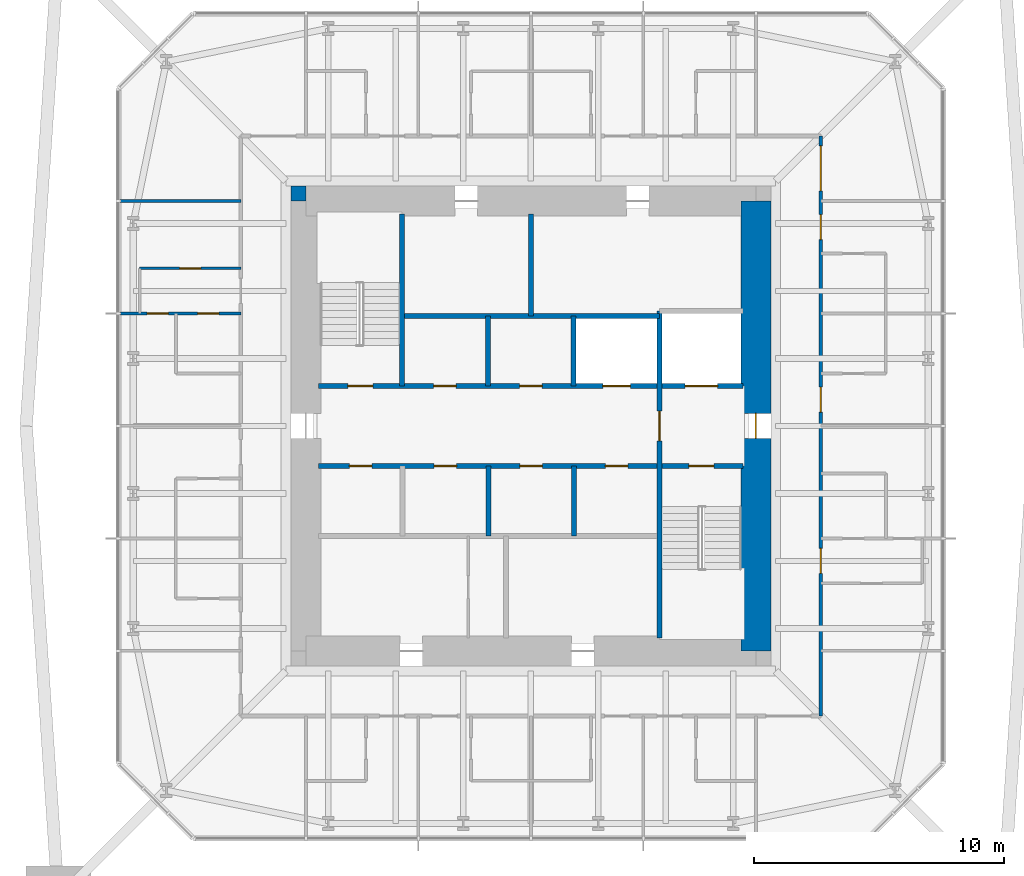
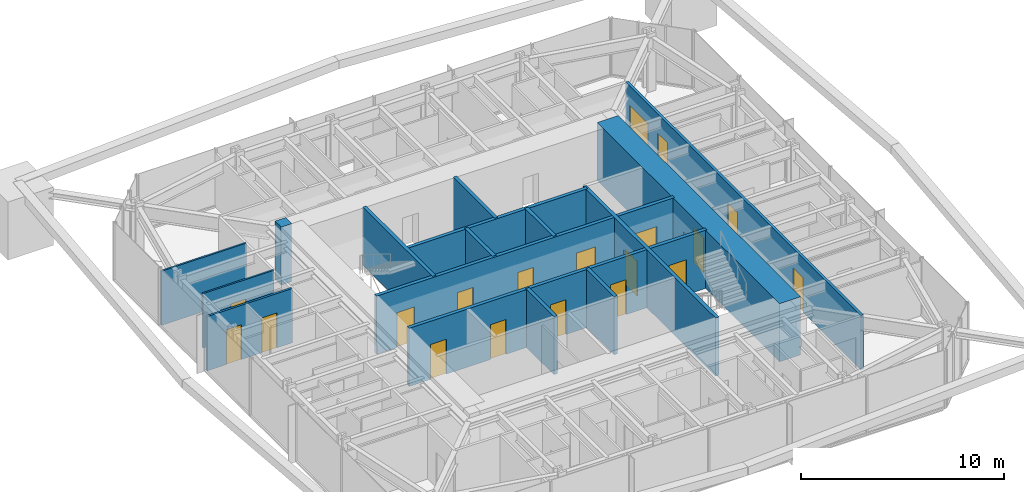
# One storey, part 8 of 11: 19 doors, 16 walls, 19 openings.
"""IFC4 building model written with IfcOpenShell, lengths in metres."""

from ifc_helpers import new_model, si_unit, direction, frame, frame_2d, origin, place, context, subcontext, project, spatial, rectangle, extrude, material, layer, layer_set, type_object, element, fill, save


model = new_model("IFC4")

# Units and contexts
model_context = context("Model", 3, precision=1e-05, world=origin(), true_north=direction((0.0, 1.0)))
body_context = subcontext(model_context, "Body", "Model", "MODEL_VIEW")
ifc_project = project(units=[si_unit("LENGTHUNIT", "METRE"), si_unit("AREAUNIT", "SQUARE_METRE"), si_unit("VOLUMEUNIT", "CUBIC_METRE"), si_unit("PLANEANGLEUNIT", "RADIAN"), si_unit("MASSUNIT", "GRAM", prefix="KILO")], contexts=[model_context])

# Site, building, storey
site_placement = place(None, origin())
site = spatial("IfcSite", under=ifc_project, at=site_placement, CompositionType="ELEMENT")
building_placement = place(site_placement, origin())
building = spatial("IfcBuilding", under=site, at=building_placement, Name="Iwan Alto Co-Living Towers", CompositionType="ELEMENT")
storey_placement = place(building_placement, frame((0.0, 0.0, 222.0)))
storey = spatial("IfcBuildingStorey", under=building, at=storey_placement, Name="L60", CompositionType="ELEMENT", Elevation=222.0)

# Wall, openings, doors
ifc_material_1 = material(Name="Gypsum board")
ifc_layer_1 = layer(ifc_material_1, 0.02490234375, Name="Board", Category="Finish")
ifc_material_2 = material(Name="Steel ASTM A1003 ST33H cold-formed studs", Category="steel")
ifc_layer_2 = layer(ifc_material_2, 0.10009765625, Name="Studs", Category="Framing")
ifc_layer_3 = layer(ifc_material_1, 0.02490234375, Name="Board", Category="Finish")
ifc_layer_set_1 = layer_set([ifc_layer_1, ifc_layer_2, ifc_layer_3], Name="CORRIDOR WALL 150")
wall_type_1 = type_object("IfcWallType", Name="CORRIDOR WALL 150", PredefinedType="PARTITIONING", material=ifc_layer_set_1)
wall_1_placement = place(storey_placement, frame((11.60009765625, -11.60009765625, 0.0), z_axis=(0.0, 0.0, 1.0), x_axis=(0.0, 1.0, 0.0)))
wall_1 = element("IfcWall", 1, at=wall_1_placement, inside=storey, type_object=wall_type_1, Name="Partition L60", PredefinedType="PARTITIONING", context=body_context, shape_type="SweptSolid", body=[
    extrude(rectangle(XDim=23.2001953125, YDim=0.14990234375, at=frame_2d((11.60009765625, 0.0))), origin(), (0.0, 0.0, 1.0), 3.27001953125),
])
opening_1_placement = place(wall_1_placement, frame((5.699951171875, 0.0, 0.0)))
opening_1 = element("IfcOpeningElement", 2, at=opening_1_placement, cuts=wall_1, Name="Opening D3", PredefinedType="OPENING", context=body_context, shape_type="SweptSolid", body=[
    extrude(rectangle(XDim=1.0, YDim=2.10009765625, at=frame_2d((0.5, 1.050048828125))), frame((0.0, 0.0849609375, 0.0), z_axis=(0.0, -1.0, 0.0), x_axis=(1.0, 0.0, 0.0)), (0.0, 0.0, 1.0), 0.169921875),
])
opening_2_placement = place(wall_1_placement, frame((12.14990234375, 0.0, 0.0)))
opening_2 = element("IfcOpeningElement", 3, at=opening_2_placement, cuts=wall_1, Name="Opening D3", PredefinedType="OPENING", context=body_context, shape_type="SweptSolid", body=[
    extrude(rectangle(XDim=1.0, YDim=2.10009765625, at=frame_2d((0.5, 1.050048828125))), frame((0.0, 0.0849609375, 0.0), z_axis=(0.0, -1.0, 0.0), x_axis=(1.0, 0.0, 0.0)), (0.0, 0.0, 1.0), 0.169921875),
])
opening_3_placement = place(wall_1_placement, frame((19.050048828125, 0.0, 0.0)))
opening_3 = element("IfcOpeningElement", 4, at=opening_3_placement, cuts=wall_1, Name="Opening D3", PredefinedType="OPENING", context=body_context, shape_type="SweptSolid", body=[
    extrude(rectangle(XDim=1.0, YDim=2.10009765625, at=frame_2d((0.5, 1.050048828125))), frame((0.0, 0.0849609375, 0.0), z_axis=(0.0, -1.0, 0.0), x_axis=(1.0, 0.0, 0.0)), (0.0, 0.0, 1.0), 0.169921875),
])
opening_4_placement = place(wall_1_placement, frame((21.0, 0.0, 0.0)))
opening_4 = element("IfcOpeningElement", 5, at=opening_4_placement, cuts=wall_1, Name="Opening D9", PredefinedType="OPENING", context=body_context, shape_type="SweptSolid", body=[
    extrude(rectangle(XDim=1.800048828125, YDim=2.10009765625, at=frame_2d((0.89990234375, 1.050048828125))), frame((0.0, 0.0849609375, 0.0), z_axis=(0.0, -1.0, 0.0), x_axis=(1.0, 0.0, 0.0)), (0.0, 0.0, 1.0), 0.169921875),
])
ifc_material_3 = material(Name="Steel frame with timber leaf", Category="steel")
door_type_1 = type_object("IfcDoorType", Name="FLAT ENTRANCE DOOR FD30S 1000X2100", OperationType="SINGLE_SWING_LEFT", PredefinedType="DOOR", material=ifc_material_3)
door_1_placement = place(opening_1_placement, frame((1.0, 0.0, 0.0), z_axis=(0.0, 0.0, 1.0), x_axis=(-1.0, 0.0, 0.0)))
door_1 = element("IfcDoor", 6, at=door_1_placement, inside=storey, type_object=door_type_1, Name="Apartment foyer door L60", OperationType="SINGLE_SWING_RIGHT", OverallHeight=2.10009765625, OverallWidth=1.0, PredefinedType="DOOR", context=body_context, shape_type="SweptSolid", body=[
    extrude(rectangle(XDim=1.0, YDim=2.10009765625, at=frame_2d((0.5, 1.050048828125))), frame((0.0, 0.02490234375, 0.0), z_axis=(0.0, -1.0, 0.0), x_axis=(1.0, 0.0, 0.0)), (0.0, 0.0, 1.0), 0.050048828125),
])
fill(opening_1, door_1)
door_2_placement = place(opening_2_placement, frame((1.0, 0.0, 0.0), z_axis=(0.0, 0.0, 1.0), x_axis=(-1.0, 0.0, 0.0)))
door_2 = element("IfcDoor", 7, at=door_2_placement, inside=storey, type_object=door_type_1, Name="Studio door L60", OperationType="SINGLE_SWING_RIGHT", OverallHeight=2.10009765625, OverallWidth=1.0, PredefinedType="DOOR", context=body_context, shape_type="SweptSolid", body=[
    extrude(rectangle(XDim=1.0, YDim=2.10009765625, at=frame_2d((0.5, 1.050048828125))), frame((0.0, 0.02490234375, 0.0), z_axis=(0.0, -1.0, 0.0), x_axis=(1.0, 0.0, 0.0)), (0.0, 0.0, 1.0), 0.050048828125),
])
fill(opening_2, door_2)
door_3_placement = place(opening_3_placement, frame((1.0, 0.0, 0.0), z_axis=(0.0, 0.0, 1.0), x_axis=(-1.0, 0.0, 0.0)))
door_3 = element("IfcDoor", 8, at=door_3_placement, inside=storey, type_object=door_type_1, Name="Studio door L60", OperationType="SINGLE_SWING_RIGHT", OverallHeight=2.10009765625, OverallWidth=1.0, PredefinedType="DOOR", context=body_context, shape_type="SweptSolid", body=[
    extrude(rectangle(XDim=1.0, YDim=2.10009765625, at=frame_2d((0.5, 1.050048828125))), frame((0.0, 0.02490234375, 0.0), z_axis=(0.0, -1.0, 0.0), x_axis=(1.0, 0.0, 0.0)), (0.0, 0.0, 1.0), 0.050048828125),
])
fill(opening_3, door_3)
ifc_material_4 = material(Name="Steel frame with timber leaf", Category="steel")
door_type_2 = type_object("IfcDoorType", Name="LOUNGE DOOR FD30S 1800X2100", OperationType="DOUBLE_DOOR_SINGLE_SWING", PredefinedType="DOOR", material=ifc_material_4)
door_4_placement = place(opening_4_placement, frame((1.800048828125, 0.0, 0.0), z_axis=(0.0, 0.0, 1.0), x_axis=(-1.0, 0.0, 0.0)))
door_4 = element("IfcDoor", 9, at=door_4_placement, inside=storey, type_object=door_type_2, Name="Study lounge door L60", OperationType="DOUBLE_DOOR_SINGLE_SWING", OverallHeight=2.10009765625, OverallWidth=1.800048828125, PredefinedType="DOOR", context=body_context, shape_type="SweptSolid", body=[
    extrude(rectangle(XDim=1.800048828125, YDim=2.10009765625, at=frame_2d((0.89990234375, 1.050048828125))), frame((0.0, 0.02490234375, 0.0), z_axis=(0.0, -1.0, 0.0), x_axis=(1.0, 0.0, 0.0)), (0.0, 0.0, 1.0), 0.050048828125),
])
fill(opening_4, door_4)

# Wall, opening, door
ifc_layer_4 = layer(ifc_material_1, 0.012451171875, Name="Board", Category="Finish")
ifc_layer_5 = layer(ifc_material_2, 0.074951171875, Name="Studs", Category="Framing")
ifc_layer_6 = layer(ifc_material_1, 0.012451171875, Name="Board", Category="Finish")
ifc_layer_set_2 = layer_set([ifc_layer_4, ifc_layer_5, ifc_layer_6], Name="PARTITION 100")
wall_type_2 = type_object("IfcWallType", Name="PARTITION 100", PredefinedType="PARTITIONING", material=ifc_layer_set_2)
wall_2_placement = place(storey_placement, frame((-15.64990234375, 6.300048828125, 0.0), z_axis=(0.0, 0.0, 1.0), x_axis=(1.0, 0.0, 0.0)))
wall_2 = element("IfcWall", 10, at=wall_2_placement, inside=storey, type_object=wall_type_2, Name="Partition L60", PredefinedType="PARTITIONING", context=body_context, shape_type="SweptSolid", body=[
    extrude(rectangle(XDim=4.0498046875, YDim=0.10009765625, at=frame_2d((2.02490234375, 0.0))), origin(), (0.0, 0.0, 1.0), 3.27001953125),
])
opening_5_placement = place(wall_2_placement, frame((1.60009765625, 0.0, 0.0)))
opening_5 = element("IfcOpeningElement", 11, at=opening_5_placement, cuts=wall_2, Name="Opening D2", PredefinedType="OPENING", context=body_context, shape_type="SweptSolid", body=[
    extrude(rectangle(XDim=0.85009765625, YDim=2.10009765625, at=frame_2d((0.425048828125, 1.050048828125))), frame((0.0, 0.06005859375, 0.0), z_axis=(0.0, -1.0, 0.0), x_axis=(1.0, 0.0, 0.0)), (0.0, 0.0, 1.0), 0.1201171875),
])
ifc_material_5 = material(Name="Timber leaf in steel frame", Category="steel")
door_type_3 = type_object("IfcDoorType", Name="ROOM DOOR 850X2100", OperationType="SINGLE_SWING_LEFT", PredefinedType="DOOR", material=ifc_material_5)
door_5_placement = place(opening_5_placement, origin())
door_5 = element("IfcDoor", 12, at=door_5_placement, inside=storey, type_object=door_type_3, Name="Apartment foyer door L60", OperationType="SINGLE_SWING_RIGHT", OverallHeight=2.10009765625, OverallWidth=0.85009765625, PredefinedType="DOOR", context=body_context, shape_type="SweptSolid", body=[
    extrude(rectangle(XDim=0.85009765625, YDim=2.10009765625, at=frame_2d((0.425048828125, 1.050048828125))), frame((0.0, 0.02490234375, 0.0), z_axis=(0.0, -1.0, 0.0), x_axis=(1.0, 0.0, 0.0)), (0.0, 0.0, 1.0), 0.050048828125),
])
fill(opening_5, door_5)

# Wall
wall_3_placement = place(storey_placement, frame((-16.43994140625, 9.0, 0.0), z_axis=(0.0, 0.0, 1.0), x_axis=(1.0, 0.0, 0.0)))
element("IfcWall", 13, at=wall_3_placement, inside=storey, type_object=wall_type_2, Name="Partition L60", PredefinedType="PARTITIONING", context=body_context, shape_type="SweptSolid", body=[
    extrude(rectangle(XDim=4.83984375, YDim=0.10009765625, at=frame_2d((2.419921875, 0.0))), origin(), (0.0, 0.0, 1.0), 3.27001953125),
])

# Wall, openings, doors
ifc_material_6 = material(Name="Concrete f'c 70 MPa", Category="concrete")
ifc_layer_7 = layer(ifc_material_6, 0.199951171875)
ifc_layer_set_3 = layer_set([ifc_layer_7], Name="SHAFT WALL 200")
wall_type_3 = type_object("IfcWallType", Name="SHAFT WALL 200", PredefinedType="SOLIDWALL", material=ifc_layer_set_3)
wall_4_placement = place(storey_placement, frame((-8.489990234375, -1.60009765625, 0.0), z_axis=(0.0, 0.0, 1.0), x_axis=(1.0, 0.0, 0.0)))
wall_4 = element("IfcWall", 14, at=wall_4_placement, inside=storey, type_object=wall_type_3, Name="Shaft wall L60", PredefinedType="SOLIDWALL", context=body_context, shape_type="SweptSolid", body=[
    extrude(rectangle(XDim=16.97998046875, YDim=0.199951171875, at=frame_2d((8.489990234375, 0.0))), origin(), (0.0, 0.0, 1.0), 3.5),
])
opening_6_placement = place(wall_4_placement, frame((14.81005859375, 0.0, 0.0)))
opening_6 = element("IfcOpeningElement", 15, at=opening_6_placement, cuts=wall_4, Name="Opening D5", PredefinedType="OPENING", context=body_context, shape_type="SweptSolid", body=[
    extrude(rectangle(XDim=1.0, YDim=2.10009765625, at=frame_2d((0.5, 1.050048828125))), frame((0.0, 0.10986328125, 0.0), z_axis=(0.0, -1.0, 0.0), x_axis=(1.0, 0.0, 0.0)), (0.0, 0.0, 1.0), 0.219970703125),
])
opening_7_placement = place(wall_4_placement, frame((1.23193359375, 0.0, 0.0)))
opening_7 = element("IfcOpeningElement", 16, at=opening_7_placement, cuts=wall_4, Name="Opening D15", PredefinedType="OPENING", context=body_context, shape_type="SweptSolid", body=[
    extrude(rectangle(XDim=0.89990234375, YDim=2.10009765625, at=frame_2d((0.449951171875, 1.050048828125))), frame((0.0, 0.10986328125, 0.0), z_axis=(0.0, -1.0, 0.0), x_axis=(1.0, 0.0, 0.0)), (0.0, 0.0, 1.0), 0.219970703125),
])
opening_8_placement = place(wall_4_placement, frame((4.626953125, 0.0, 0.0)))
opening_8 = element("IfcOpeningElement", 17, at=opening_8_placement, cuts=wall_4, Name="Opening D15", PredefinedType="OPENING", context=body_context, shape_type="SweptSolid", body=[
    extrude(rectangle(XDim=0.89990234375, YDim=2.10009765625, at=frame_2d((0.449951171875, 1.050048828125))), frame((0.0, 0.10986328125, 0.0), z_axis=(0.0, -1.0, 0.0), x_axis=(1.0, 0.0, 0.0)), (0.0, 0.0, 1.0), 0.219970703125),
])
opening_9_placement = place(wall_4_placement, frame((8.052001953125, 0.0, 0.0)))
opening_9 = element("IfcOpeningElement", 18, at=opening_9_placement, cuts=wall_4, Name="Opening D15", PredefinedType="OPENING", context=body_context, shape_type="SweptSolid", body=[
    extrude(rectangle(XDim=0.89990234375, YDim=2.10009765625, at=frame_2d((0.449951171875, 1.050048828125))), frame((0.0, 0.10986328125, 0.0), z_axis=(0.0, -1.0, 0.0), x_axis=(1.0, 0.0, 0.0)), (0.0, 0.0, 1.0), 0.219970703125),
])
opening_10_placement = place(wall_4_placement, frame((11.47802734375, 0.0, 0.0)))
opening_10 = element("IfcOpeningElement", 19, at=opening_10_placement, cuts=wall_4, Name="Opening D15", PredefinedType="OPENING", context=body_context, shape_type="SweptSolid", body=[
    extrude(rectangle(XDim=0.89990234375, YDim=2.10009765625, at=frame_2d((0.449951171875, 1.050048828125))), frame((0.0, 0.10986328125, 0.0), z_axis=(0.0, -1.0, 0.0), x_axis=(1.0, 0.0, 0.0)), (0.0, 0.0, 1.0), 0.219970703125),
])
ifc_material_7 = material(Name="Steel frame with timber leaf", Category="steel")
door_type_4 = type_object("IfcDoorType", Name="CORE ROOM DOOR FD60S 900X2100", OperationType="SINGLE_SWING_LEFT", PredefinedType="DOOR", material=ifc_material_7)
door_6_placement = place(opening_7_placement, frame((0.89990234375, 0.0, 0.0), z_axis=(0.0, 0.0, 1.0), x_axis=(-1.0, 0.0, 0.0)))
door_6 = element("IfcDoor", 20, at=door_6_placement, inside=storey, type_object=door_type_4, Name="Linen store door L60", OperationType="SINGLE_SWING_LEFT", OverallHeight=2.10009765625, OverallWidth=0.89990234375, PredefinedType="DOOR", context=body_context, shape_type="SweptSolid", body=[
    extrude(rectangle(XDim=0.89990234375, YDim=2.10009765625, at=frame_2d((0.449951171875, 1.050048828125))), frame((0.0, 0.02490234375, 0.0), z_axis=(0.0, -1.0, 0.0), x_axis=(1.0, 0.0, 0.0)), (0.0, 0.0, 1.0), 0.050048828125),
])
fill(opening_7, door_6)
door_7_placement = place(opening_8_placement, frame((0.89990234375, 0.0, 0.0), z_axis=(0.0, 0.0, 1.0), x_axis=(-1.0, 0.0, 0.0)))
door_7 = element("IfcDoor", 21, at=door_7_placement, inside=storey, type_object=door_type_4, Name="Staff WC door L60", OperationType="SINGLE_SWING_RIGHT", OverallHeight=2.10009765625, OverallWidth=0.89990234375, PredefinedType="DOOR", context=body_context, shape_type="SweptSolid", body=[
    extrude(rectangle(XDim=0.89990234375, YDim=2.10009765625, at=frame_2d((0.449951171875, 1.050048828125))), frame((0.0, 0.02490234375, 0.0), z_axis=(0.0, -1.0, 0.0), x_axis=(1.0, 0.0, 0.0)), (0.0, 0.0, 1.0), 0.050048828125),
])
fill(opening_8, door_7)
door_8_placement = place(opening_9_placement, frame((0.89990234375, 0.0, 0.0), z_axis=(0.0, 0.0, 1.0), x_axis=(-1.0, 0.0, 0.0)))
door_8 = element("IfcDoor", 22, at=door_8_placement, inside=storey, type_object=door_type_4, Name="Comms room door L60", OperationType="SINGLE_SWING_RIGHT", OverallHeight=2.10009765625, OverallWidth=0.89990234375, PredefinedType="DOOR", context=body_context, shape_type="SweptSolid", body=[
    extrude(rectangle(XDim=0.89990234375, YDim=2.10009765625, at=frame_2d((0.449951171875, 1.050048828125))), frame((0.0, 0.02490234375, 0.0), z_axis=(0.0, -1.0, 0.0), x_axis=(1.0, 0.0, 0.0)), (0.0, 0.0, 1.0), 0.050048828125),
])
fill(opening_9, door_8)
door_9_placement = place(opening_10_placement, frame((0.89990234375, 0.0, 0.0), z_axis=(0.0, 0.0, 1.0), x_axis=(-1.0, 0.0, 0.0)))
door_9 = element("IfcDoor", 23, at=door_9_placement, inside=storey, type_object=door_type_4, Name="Housekeeping store door L60", OperationType="SINGLE_SWING_RIGHT", OverallHeight=2.10009765625, OverallWidth=0.89990234375, PredefinedType="DOOR", context=body_context, shape_type="SweptSolid", body=[
    extrude(rectangle(XDim=0.89990234375, YDim=2.10009765625, at=frame_2d((0.449951171875, 1.050048828125))), frame((0.0, 0.02490234375, 0.0), z_axis=(0.0, -1.0, 0.0), x_axis=(1.0, 0.0, 0.0)), (0.0, 0.0, 1.0), 0.050048828125),
])
fill(opening_10, door_9)
ifc_material_8 = material(Name="Steel frame with timber leaf", Category="steel")
door_type_5 = type_object("IfcDoorType", Name="STAIR DOOR FD120S 1000X2100", OperationType="SINGLE_SWING_LEFT", PredefinedType="DOOR", material=ifc_material_8)
door_10_placement = place(opening_6_placement, frame((1.0, 0.0, 0.0), z_axis=(0.0, 0.0, 1.0), x_axis=(-1.0, 0.0, 0.0)))
door_10 = element("IfcDoor", 24, at=door_10_placement, inside=storey, type_object=door_type_5, Name="Stair S2 door L60", OperationType="SINGLE_SWING_RIGHT", OverallHeight=2.10009765625, OverallWidth=1.0, PredefinedType="DOOR", context=body_context, shape_type="SweptSolid", body=[
    extrude(rectangle(XDim=1.0, YDim=2.10009765625, at=frame_2d((0.5, 1.050048828125))), frame((0.0, 0.02490234375, 0.0), z_axis=(0.0, -1.0, 0.0), x_axis=(1.0, 0.0, 0.0)), (0.0, 0.0, 1.0), 0.050048828125),
])
fill(opening_6, door_10)

wall_5_placement = place(storey_placement, frame((-8.489990234375, 1.60009765625, 0.0), z_axis=(0.0, 0.0, 1.0), x_axis=(1.0, 0.0, 0.0)))
wall_5 = element("IfcWall", 25, at=wall_5_placement, inside=storey, type_object=wall_type_3, Name="Shaft wall L60", PredefinedType="SOLIDWALL", context=body_context, shape_type="SweptSolid", body=[
    extrude(rectangle(XDim=16.97998046875, YDim=0.199951171875, at=frame_2d((8.489990234375, 0.0))), origin(), (0.0, 0.0, 1.0), 3.5),
])
opening_11_placement = place(wall_5_placement, frame((1.169921875, 0.0, 0.0)))
opening_11 = element("IfcOpeningElement", 26, at=opening_11_placement, cuts=wall_5, Name="Opening D5", PredefinedType="OPENING", context=body_context, shape_type="SweptSolid", body=[
    extrude(rectangle(XDim=1.0, YDim=2.10009765625, at=frame_2d((0.5, 1.050048828125))), frame((0.0, 0.10986328125, 0.0), z_axis=(0.0, -1.0, 0.0), x_axis=(1.0, 0.0, 0.0)), (0.0, 0.0, 1.0), 0.219970703125),
])
opening_12_placement = place(wall_5_placement, frame((4.60595703125, 0.0, 0.0)))
opening_12 = element("IfcOpeningElement", 27, at=opening_12_placement, cuts=wall_5, Name="Opening D15", PredefinedType="OPENING", context=body_context, shape_type="SweptSolid", body=[
    extrude(rectangle(XDim=0.89990234375, YDim=2.10009765625, at=frame_2d((0.449951171875, 1.050048828125))), frame((0.0, 0.10986328125, 0.0), z_axis=(0.0, -1.0, 0.0), x_axis=(1.0, 0.0, 0.0)), (0.0, 0.0, 1.0), 0.219970703125),
])
opening_13_placement = place(wall_5_placement, frame((8.0400390625, 0.0, 0.0)))
opening_13 = element("IfcOpeningElement", 28, at=opening_13_placement, cuts=wall_5, Name="Opening D15", PredefinedType="OPENING", context=body_context, shape_type="SweptSolid", body=[
    extrude(rectangle(XDim=0.89990234375, YDim=2.10009765625, at=frame_2d((0.449951171875, 1.050048828125))), frame((0.0, 0.10986328125, 0.0), z_axis=(0.0, -1.0, 0.0), x_axis=(1.0, 0.0, 0.0)), (0.0, 0.0, 1.0), 0.219970703125),
])
opening_14_placement = place(wall_5_placement, frame((11.3740234375, 0.0, 0.0)))
opening_14 = element("IfcOpeningElement", 29, at=opening_14_placement, cuts=wall_5, Name="Opening LD", PredefinedType="OPENING", context=body_context, shape_type="SweptSolid", body=[
    extrude(rectangle(XDim=1.10009765625, YDim=2.10009765625, at=frame_2d((0.550048828125, 1.050048828125))), frame((0.0, 0.10986328125, 0.0), z_axis=(0.0, -1.0, 0.0), x_axis=(1.0, 0.0, 0.0)), (0.0, 0.0, 1.0), 0.219970703125),
])
opening_15_placement = place(wall_5_placement, frame((14.659912109375, 0.0, 0.0)))
opening_15 = element("IfcOpeningElement", 30, at=opening_15_placement, cuts=wall_5, Name="Opening LD2", PredefinedType="OPENING", context=body_context, shape_type="SweptSolid", body=[
    extrude(rectangle(XDim=1.300048828125, YDim=2.10009765625, at=frame_2d((0.64990234375, 1.050048828125))), frame((0.0, 0.10986328125, 0.0), z_axis=(0.0, -1.0, 0.0), x_axis=(1.0, 0.0, 0.0)), (0.0, 0.0, 1.0), 0.219970703125),
])
door_11_placement = place(opening_12_placement, origin())
door_11 = element("IfcDoor", 31, at=door_11_placement, inside=storey, type_object=door_type_4, Name="Housekeeping store door L60", OperationType="SINGLE_SWING_LEFT", OverallHeight=2.10009765625, OverallWidth=0.89990234375, PredefinedType="DOOR", context=body_context, shape_type="SweptSolid", body=[
    extrude(rectangle(XDim=0.89990234375, YDim=2.10009765625, at=frame_2d((0.449951171875, 1.050048828125))), frame((0.0, 0.02490234375, 0.0), z_axis=(0.0, -1.0, 0.0), x_axis=(1.0, 0.0, 0.0)), (0.0, 0.0, 1.0), 0.050048828125),
])
fill(opening_12, door_11)
door_12_placement = place(opening_13_placement, origin())
door_12 = element("IfcDoor", 32, at=door_12_placement, inside=storey, type_object=door_type_4, Name="Comms room door L60", OperationType="SINGLE_SWING_LEFT", OverallHeight=2.10009765625, OverallWidth=0.89990234375, PredefinedType="DOOR", context=body_context, shape_type="SweptSolid", body=[
    extrude(rectangle(XDim=0.89990234375, YDim=2.10009765625, at=frame_2d((0.449951171875, 1.050048828125))), frame((0.0, 0.02490234375, 0.0), z_axis=(0.0, -1.0, 0.0), x_axis=(1.0, 0.0, 0.0)), (0.0, 0.0, 1.0), 0.050048828125),
])
fill(opening_13, door_12)
ifc_material_9 = material(Name="Steel frame with timber leaf", Category="steel")
door_type_6 = type_object("IfcDoorType", Name="LIFT LANDING DOOR 1100X2100", OperationType="DOUBLE_DOOR_SLIDING", PredefinedType="DOOR", material=ifc_material_9)
door_13_placement = place(opening_14_placement, origin())
door_13 = element("IfcDoor", 33, at=door_13_placement, inside=storey, type_object=door_type_6, Name="Lift P4-3 landing door L60", OperationType="DOUBLE_DOOR_SLIDING", OverallHeight=2.10009765625, OverallWidth=1.10009765625, PredefinedType="DOOR", context=body_context, shape_type="SweptSolid", body=[
    extrude(rectangle(XDim=1.10009765625, YDim=2.10009765625, at=frame_2d((0.550048828125, 1.050048828125))), frame((0.0, 0.02490234375, 0.0), z_axis=(0.0, -1.0, 0.0), x_axis=(1.0, 0.0, 0.0)), (0.0, 0.0, 1.0), 0.050048828125),
])
fill(opening_14, door_13)
ifc_material_10 = material(Name="Steel frame with timber leaf", Category="steel")
door_type_7 = type_object("IfcDoorType", Name="LIFT LANDING DOOR 1300X2100", OperationType="SLIDING_TO_LEFT", PredefinedType="DOOR", material=ifc_material_10)
door_14_placement = place(opening_15_placement, origin())
door_14 = element("IfcDoor", 34, at=door_14_placement, inside=storey, type_object=door_type_7, Name="Lift FL1 landing door L60", OperationType="SLIDING_TO_LEFT", OverallHeight=2.10009765625, OverallWidth=1.300048828125, PredefinedType="DOOR", context=body_context, shape_type="SweptSolid", body=[
    extrude(rectangle(XDim=1.300048828125, YDim=2.10009765625, at=frame_2d((0.64990234375, 1.050048828125))), frame((0.0, 0.02490234375, 0.0), z_axis=(0.0, -1.0, 0.0), x_axis=(1.0, 0.0, 0.0)), (0.0, 0.0, 1.0), 0.050048828125),
])
fill(opening_15, door_14)
door_15_placement = place(opening_11_placement, origin())
door_15 = element("IfcDoor", 35, at=door_15_placement, inside=storey, type_object=door_type_5, Name="Stair S1 door L60", OperationType="SINGLE_SWING_RIGHT", OverallHeight=2.10009765625, OverallWidth=1.0, PredefinedType="DOOR", context=body_context, shape_type="SweptSolid", body=[
    extrude(rectangle(XDim=1.0, YDim=2.10009765625, at=frame_2d((0.5, 1.050048828125))), frame((0.0, 0.02490234375, 0.0), z_axis=(0.0, -1.0, 0.0), x_axis=(1.0, 0.0, 0.0)), (0.0, 0.0, 1.0), 0.050048828125),
])
fill(opening_11, door_15)

# Wall
wall_6_placement = place(storey_placement, frame((-5.14990234375, 4.39990234375, 0.0), z_axis=(0.0, 0.0, 1.0), x_axis=(1.0, 0.0, 0.0)))
element("IfcWall", 36, at=wall_6_placement, inside=storey, type_object=wall_type_3, Name="Shaft wall L60", PredefinedType="SOLIDWALL", context=body_context, shape_type="SweptSolid", body=[
    extrude(rectangle(XDim=10.2998046875, YDim=0.199951171875, at=frame_2d((5.14990234375, 0.0))), origin(), (0.0, 0.0, 1.0), 3.5),
])

# Wall, opening, door
wall_7_placement = place(storey_placement, frame((5.14990234375, -8.489990234375, 0.0), z_axis=(0.0, 0.0, 1.0), x_axis=(0.0, 1.0, 0.0)))
wall_7 = element("IfcWall", 37, at=wall_7_placement, inside=storey, type_object=wall_type_3, Name="Shaft wall L60", PredefinedType="SOLIDWALL", context=body_context, shape_type="SweptSolid", body=[
    extrude(rectangle(XDim=13.090087890625, YDim=0.199951171875, at=frame_2d((6.544921875, 0.0))), origin(), (0.0, 0.0, 1.0), 3.5),
])
opening_16_placement = place(wall_7_placement, frame((7.889892578125, 0.0, 0.0)))
opening_16 = element("IfcOpeningElement", 38, at=opening_16_placement, cuts=wall_7, Name="Opening D6", PredefinedType="OPENING", context=body_context, shape_type="SweptSolid", body=[
    extrude(rectangle(XDim=1.199951171875, YDim=2.10009765625, at=frame_2d((0.60009765625, 1.050048828125))), frame((0.0, 0.10986328125, 0.0), z_axis=(0.0, -1.0, 0.0), x_axis=(1.0, 0.0, 0.0)), (0.0, 0.0, 1.0), 0.219970703125),
])
ifc_material_11 = material(Name="Steel frame with timber leaf", Category="steel")
door_type_8 = type_object("IfcDoorType", Name="LOBBY DOOR FD120S 1200X2100", OperationType="SINGLE_SWING_LEFT", PredefinedType="DOOR", material=ifc_material_11)
door_16_placement = place(opening_16_placement, frame((1.199951171875, 0.0, 0.0), z_axis=(0.0, 0.0, 1.0), x_axis=(-1.0, 0.0, 0.0)))
door_16 = element("IfcDoor", 39, at=door_16_placement, inside=storey, type_object=door_type_8, Name="Firefighting lobby door L60", OperationType="SINGLE_SWING_RIGHT", OverallHeight=2.10009765625, OverallWidth=1.199951171875, PredefinedType="DOOR", context=body_context, shape_type="SweptSolid", body=[
    extrude(rectangle(XDim=1.199951171875, YDim=2.10009765625, at=frame_2d((0.60009765625, 1.050048828125))), frame((0.0, 0.02490234375, 0.0), z_axis=(0.0, -1.0, 0.0), x_axis=(1.0, 0.0, 0.0)), (0.0, 0.0, 1.0), 0.050048828125),
])
fill(opening_16, door_16)

# Walls
for number, where, z_axis, x_axis, name in (
    (40, (1.72509765625, -4.39990234375, 0.0), (0.0, 0.0, 1.0), (0.0, 1.0, 0.0), "Shaft wall L60"),
    (41, (1.717041015625, 1.60009765625, 0.0), (0.0, 0.0, 1.0), (0.0, 1.0, 0.0), "Shaft wall L60"),
):
    element("IfcWall", number, at=place(storey_placement, frame(where, z_axis=z_axis, x_axis=x_axis)), inside=storey, type_object=wall_type_3, Name=name, PredefinedType="SOLIDWALL", context=body_context, shape_type="SweptSolid", body=[
        extrude(rectangle(XDim=2.7998046875, YDim=0.199951171875, at=frame_2d((1.39990234375, 0.0))), origin(), (0.0, 0.0, 1.0), 3.5),
    ])
wall_8_placement = place(storey_placement, frame((0.0, 4.39990234375, 0.0), z_axis=(0.0, 0.0, 1.0), x_axis=(0.0, 1.0, 0.0)))
element("IfcWall", 42, at=wall_8_placement, inside=storey, type_object=wall_type_3, Name="Shaft wall L60", PredefinedType="SOLIDWALL", context=body_context, shape_type="SweptSolid", body=[
    extrude(rectangle(XDim=4.090087890625, YDim=0.199951171875, at=frame_2d((2.044921875, 0.0))), origin(), (0.0, 0.0, 1.0), 3.5),
])
for number, where, z_axis, x_axis, name in (
    (43, (-1.699951171875, -4.39990234375, 0.0), (0.0, 0.0, 1.0), (0.0, 1.0, 0.0), "Shaft wall L60"),
    (44, (-1.717041015625, 1.60009765625, 0.0), (0.0, 0.0, 1.0), (0.0, 1.0, 0.0), "Shaft wall L60"),
):
    element("IfcWall", number, at=place(storey_placement, frame(where, z_axis=z_axis, x_axis=x_axis)), inside=storey, type_object=wall_type_3, Name=name, PredefinedType="SOLIDWALL", context=body_context, shape_type="SweptSolid", body=[
        extrude(rectangle(XDim=2.7998046875, YDim=0.199951171875, at=frame_2d((1.39990234375, 0.0))), origin(), (0.0, 0.0, 1.0), 3.5),
    ])
wall_9_placement = place(storey_placement, frame((-5.14990234375, 1.60009765625, 0.0), z_axis=(0.0, 0.0, 1.0), x_axis=(0.0, 1.0, 0.0)))
element("IfcWall", 45, at=wall_9_placement, inside=storey, type_object=wall_type_3, Name="Shaft wall L60", PredefinedType="SOLIDWALL", context=body_context, shape_type="SweptSolid", body=[
    extrude(rectangle(XDim=6.889892578125, YDim=0.199951171875, at=frame_2d((3.44482421875, 0.0))), origin(), (0.0, 0.0, 1.0), 3.5),
])
ifc_material_12 = material(Name="Concrete f'c 70 MPa", Category="concrete")
ifc_layer_8 = layer(ifc_material_12, 0.60009765625)
ifc_layer_set_4 = layer_set([ifc_layer_8], Name="T1 CORE CORNER FILL 600")
wall_type_4 = type_object("IfcWallType", Name="T1 CORE CORNER FILL 600", PredefinedType="SOLIDWALL", material=ifc_layer_set_4)
wall_10_placement = place(storey_placement, frame((-9.60009765625, 9.300048828125, 0.0), z_axis=(0.0, 0.0, 1.0), x_axis=(1.0, 0.0, 0.0)))
element("IfcWall", 46, at=wall_10_placement, inside=storey, type_object=wall_type_4, Name="T1 core corner NW L60", PredefinedType="SOLIDWALL", context=body_context, shape_type="SweptSolid", body=[
    extrude(rectangle(XDim=0.60009765625, YDim=0.60009765625, at=frame_2d((0.300048828125, 0.0))), origin(), (0.0, 0.0, 1.0), 3.5),
])

# Wall, opening, door
ifc_material_13 = material(Name="Concrete f'c 70 MPa", Category="concrete")
ifc_layer_9 = layer(ifc_material_13, 1.199951171875)
ifc_layer_set_5 = layer_set([ifc_layer_9], Name="T1 CORE WALL 1200")
wall_type_5 = type_object("IfcWallType", Name="T1 CORE WALL 1200", PredefinedType="SHEAR", material=ifc_layer_set_5)
wall_11_placement = place(storey_placement, frame((9.0, -9.0, 0.0), z_axis=(0.0, 0.0, 1.0), x_axis=(0.0, 1.0, 0.0)))
wall_11 = element("IfcWall", 47, at=wall_11_placement, inside=storey, type_object=wall_type_5, Name="T1 core wall E L60", PredefinedType="SHEAR", context=body_context, shape_type="SweptSolid", body=[
    extrude(rectangle(XDim=18.0, YDim=1.199951171875, at=frame_2d((9.0, 0.0))), origin(), (0.0, 0.0, 1.0), 3.5),
])
opening_17_placement = place(wall_11_placement, frame((8.5, 0.0, 0.0)))
opening_17 = element("IfcOpeningElement", 48, at=opening_17_placement, cuts=wall_11, Name="Opening D7", PredefinedType="OPENING", context=body_context, shape_type="SweptSolid", body=[
    extrude(rectangle(XDim=1.0, YDim=2.10009765625, at=frame_2d((0.5, 1.050048828125))), frame((0.0, 0.60986328125, 0.0), z_axis=(0.0, -1.0, 0.0), x_axis=(1.0, 0.0, 0.0)), (0.0, 0.0, 1.0), 1.219970703125),
])
ifc_material_14 = material(Name="Steel frame with timber leaf", Category="steel")
door_type_9 = type_object("IfcDoorType", Name="CORE DOOR FD120S 1000X2100", OperationType="SINGLE_SWING_LEFT", PredefinedType="DOOR", material=ifc_material_14)
door_17_placement = place(opening_17_placement, origin())
door_17 = element("IfcDoor", 49, at=door_17_placement, inside=storey, type_object=door_type_9, Name="Firefighting lobby core door L60", OperationType="SINGLE_SWING_LEFT", OverallHeight=2.10009765625, OverallWidth=1.0, PredefinedType="DOOR", context=body_context, shape_type="SweptSolid", body=[
    extrude(rectangle(XDim=1.0, YDim=2.10009765625, at=frame_2d((0.5, 1.050048828125))), frame((0.0, 0.02490234375, 0.0), z_axis=(0.0, -1.0, 0.0), x_axis=(1.0, 0.0, 0.0)), (0.0, 0.0, 1.0), 0.050048828125),
])
fill(opening_17, door_17)

# Wall, openings, doors
ifc_material_15 = material(Name="Cement board")
ifc_layer_10 = layer(ifc_material_15, 0.012451171875, Name="Board", Category="Finish")
ifc_layer_11 = layer(ifc_material_2, 0.094970703125, Name="Studs", Category="Framing")
ifc_layer_12 = layer(ifc_material_15, 0.012451171875, Name="Board", Category="Finish")
ifc_layer_set_6 = layer_set([ifc_layer_10, ifc_layer_11, ifc_layer_12], Name="WET AREA PARTITION 120")
wall_type_6 = type_object("IfcWallType", Name="WET AREA PARTITION 120", PredefinedType="PARTITIONING", material=ifc_layer_set_6)
wall_12_placement = place(storey_placement, frame((-16.43994140625, 4.5, 0.0), z_axis=(0.0, 0.0, 1.0), x_axis=(1.0, 0.0, 0.0)))
wall_12 = element("IfcWall", 50, at=wall_12_placement, inside=storey, type_object=wall_type_6, Name="Partition L60", PredefinedType="PARTITIONING", context=body_context, shape_type="SweptSolid", body=[
    extrude(rectangle(XDim=4.83984375, YDim=0.1201171875, at=frame_2d((2.419921875, 0.0))), origin(), (0.0, 0.0, 1.0), 3.27001953125),
])
opening_18_placement = place(wall_12_placement, frame((1.090087890625, 0.0, 0.0)))
opening_18 = element("IfcOpeningElement", 51, at=opening_18_placement, cuts=wall_12, Name="Opening D2", PredefinedType="OPENING", context=body_context, shape_type="SweptSolid", body=[
    extrude(rectangle(XDim=0.85009765625, YDim=2.10009765625, at=frame_2d((0.425048828125, 1.050048828125))), frame((0.0, 0.070068359375, 0.0), z_axis=(0.0, -1.0, 0.0), x_axis=(1.0, 0.0, 0.0)), (0.0, 0.0, 1.0), 0.14013671875),
])
opening_19_placement = place(wall_12_placement, frame((3.114990234375, 0.0, 0.0)))
opening_19 = element("IfcOpeningElement", 52, at=opening_19_placement, cuts=wall_12, Name="Opening D2", PredefinedType="OPENING", context=body_context, shape_type="SweptSolid", body=[
    extrude(rectangle(XDim=0.85009765625, YDim=2.10009765625, at=frame_2d((0.425048828125, 1.050048828125))), frame((0.0, 0.070068359375, 0.0), z_axis=(0.0, -1.0, 0.0), x_axis=(1.0, 0.0, 0.0)), (0.0, 0.0, 1.0), 0.14013671875),
])
door_18_placement = place(opening_18_placement, frame((0.85009765625, 0.0, 0.0), z_axis=(0.0, 0.0, 1.0), x_axis=(-1.0, 0.0, 0.0)))
door_18 = element("IfcDoor", 53, at=door_18_placement, inside=storey, type_object=door_type_3, Name="Bedroom door L60", OperationType="SINGLE_SWING_LEFT", OverallHeight=2.10009765625, OverallWidth=0.85009765625, PredefinedType="DOOR", context=body_context, shape_type="SweptSolid", body=[
    extrude(rectangle(XDim=0.85009765625, YDim=2.10009765625, at=frame_2d((0.425048828125, 1.050048828125))), frame((0.0, 0.02490234375, 0.0), z_axis=(0.0, -1.0, 0.0), x_axis=(1.0, 0.0, 0.0)), (0.0, 0.0, 1.0), 0.050048828125),
])
fill(opening_18, door_18)
door_19_placement = place(opening_19_placement, frame((0.85009765625, 0.0, 0.0), z_axis=(0.0, 0.0, 1.0), x_axis=(-1.0, 0.0, 0.0)))
door_19 = element("IfcDoor", 54, at=door_19_placement, inside=storey, type_object=door_type_3, Name="Bathroom door L60", OperationType="SINGLE_SWING_RIGHT", OverallHeight=2.10009765625, OverallWidth=0.85009765625, PredefinedType="DOOR", context=body_context, shape_type="SweptSolid", body=[
    extrude(rectangle(XDim=0.85009765625, YDim=2.10009765625, at=frame_2d((0.425048828125, 1.050048828125))), frame((0.0, 0.02490234375, 0.0), z_axis=(0.0, -1.0, 0.0), x_axis=(1.0, 0.0, 0.0)), (0.0, 0.0, 1.0), 0.050048828125),
])
fill(opening_19, door_19)

save(model, "model.ifc")
